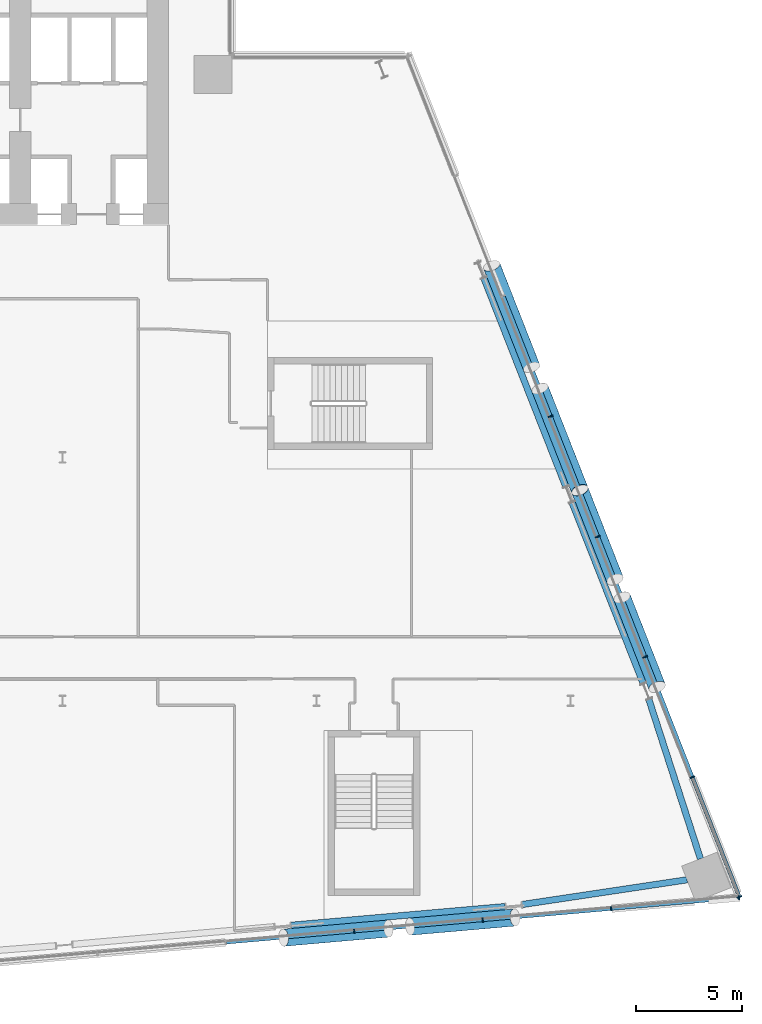
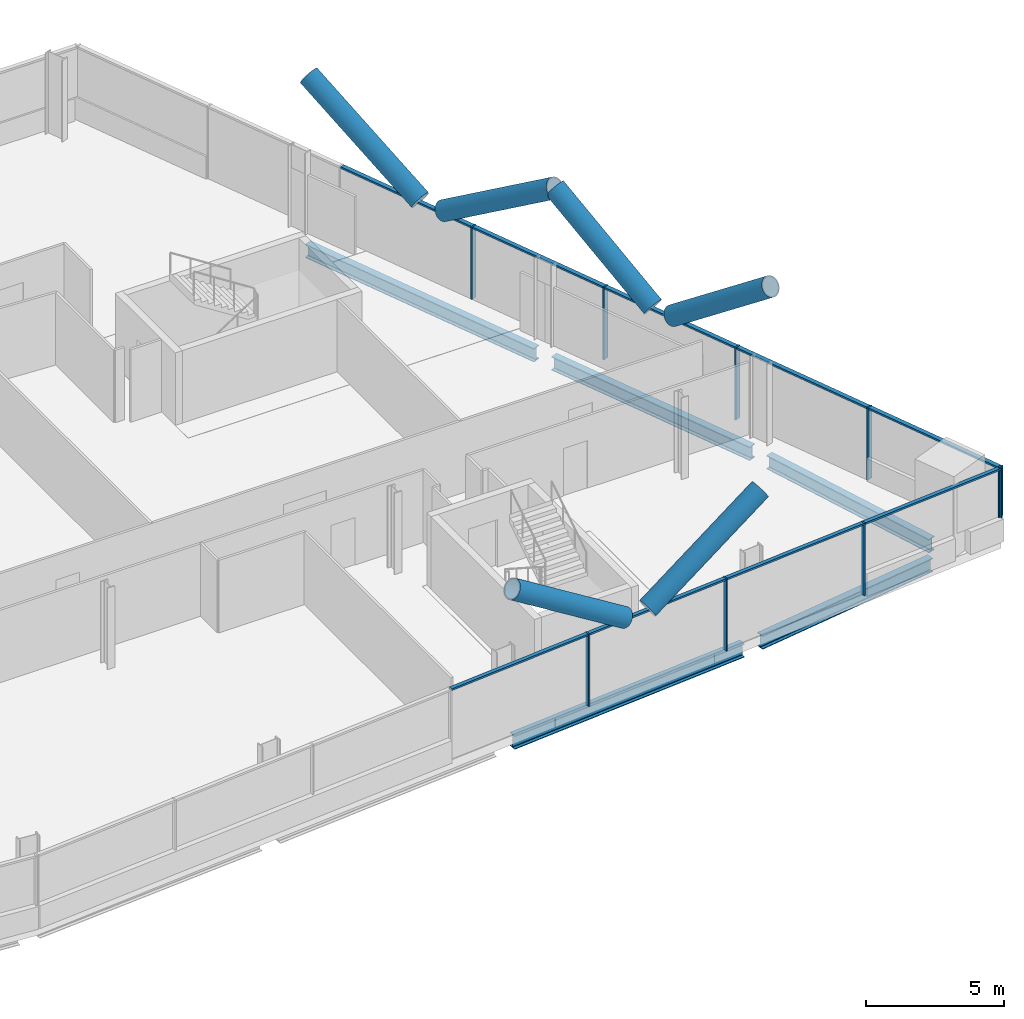
# One storey, part 10 of 27: 24 members, 5 beams, 2 elements without a shape of their own.
"""IFC4 building model written with IfcOpenShell, lengths in metres."""

import ifcopenshell
import ifcopenshell.guid

model = None  # the IFC model being written
_history = None  # IfcOwnerHistory: only IFC2X3 demands one
_inside = {}  # id of a spatial element -> (the spatial element, [elements in it])
_under = {}  # id of a project, library or spatial element -> (it, [spatial elements below it])
_declared = {}  # id of a project -> (the project, [libraries it declares])
_typed = {}  # id of a type object -> (the type object, [elements of that type])
_made_of = {}  # id of a material, layer set ... -> (it, [elements and type objects made of it])


def new_model(schema):
    """Start an empty IFC model of exactly this schema.

    Asked for "IFC4X3", IfcOpenShell would pick the latest addendum, in which some entities
    have other attributes; the version numbers below select the first issue.
    IFC2X3 requires an IfcOwnerHistory on every rooted entity: one is made here for all.
    """
    global model, _history
    if schema == "IFC4X3":
        model = ifcopenshell.file(schema_version=(4, 3, 0, 0))
    else:
        model = ifcopenshell.file(schema=schema)
    _inside.clear()
    _under.clear()
    _declared.clear()
    _typed.clear()
    _made_of.clear()
    _history = None
    if model.schema == "IFC2X3":
        org = make("IfcOrganization", Name="unknown")
        user = make(
            "IfcPersonAndOrganization",
            ThePerson=make("IfcPerson", FamilyName="unknown"),
            TheOrganization=org,
        )
        app = make(
            "IfcApplication",
            ApplicationDeveloper=org,
            Version="unknown",
            ApplicationFullName="unknown",
            ApplicationIdentifier="unknown",
        )
        _history = make(
            "IfcOwnerHistory",
            OwningUser=user,
            OwningApplication=app,
            ChangeAction="ADDED",
            CreationDate=0,
        )
    return model


def make(cls, **values):
    """One entity of the class cls with the attributes given. An attribute that is None is left unset."""
    return model.create_entity(
        cls, **{name: value for name, value in values.items() if value is not None}
    )


def rooted(cls, **values):
    """An entity with a GlobalId (a new one), such as an element, a storey or a relation."""
    return make(cls, GlobalId=ifcopenshell.guid.new(), OwnerHistory=_history, **values)


def si_unit(unit_type, name, prefix=None):
    """IfcSIUnit, for example si_unit("LENGTHUNIT", "METRE", prefix="MILLI")."""
    return make("IfcSIUnit", UnitType=unit_type, Prefix=prefix, Name=name)


def assignment(units):
    """IfcUnitAssignment: the units of a project."""
    return None if units is None else make("IfcUnitAssignment", Units=units)


def point(xyz):
    """IfcCartesianPoint."""
    return None if xyz is None else make("IfcCartesianPoint", Coordinates=xyz)


def direction(xyz):
    """IfcDirection."""
    return None if xyz is None else make("IfcDirection", DirectionRatios=xyz)


def frame(location, z_axis=None, x_axis=None):
    """IfcAxis2Placement3D, a coordinate frame: its origin and axes. An axis left out is left unset."""
    return make(
        "IfcAxis2Placement3D",
        Location=point(location),
        Axis=direction(z_axis),
        RefDirection=direction(x_axis),
    )


def frame_2d(location, x_axis=None):
    """IfcAxis2Placement2D, a coordinate frame in the plane: its origin and x axis."""
    return make(
        "IfcAxis2Placement2D", Location=point(location), RefDirection=direction(x_axis)
    )


def origin():
    """The frame at (0, 0, 0) with its axes left unset."""
    return frame((0.0, 0.0, 0.0))


def origin_2d():
    """The frame at (0, 0) in the plane with its x axis left unset."""
    return frame_2d((0.0, 0.0))


def place(relative_to, where):
    """IfcLocalPlacement: puts the frame where relative to a parent placement (None: the world)."""
    return make(
        "IfcLocalPlacement", PlacementRelTo=relative_to, RelativePlacement=where
    )


def context(
    kind, dimensions, precision=None, world=None, true_north=None, identifier=None
):
    """IfcGeometricRepresentationContext, for example the 3D "Model" context."""
    return make(
        "IfcGeometricRepresentationContext",
        ContextIdentifier=identifier,
        ContextType=kind,
        CoordinateSpaceDimension=dimensions,
        Precision=precision,
        WorldCoordinateSystem=world,
        TrueNorth=true_north,
    )


def subcontext(parent, identifier, kind, view, scale=None):
    """IfcGeometricRepresentationSubContext, for example "Body" below "Model"."""
    return make(
        "IfcGeometricRepresentationSubContext",
        ContextIdentifier=identifier,
        ContextType=kind,
        ParentContext=parent,
        TargetScale=scale,
        TargetView=view,
    )


def project(units=None, contexts=None):
    """IfcProject with its units and contexts."""
    return rooted(
        "IfcProject",
        Name="project",
        RepresentationContexts=contexts,
        UnitsInContext=assignment(units),
    )


def spatial(cls, under=None, at=None, **own):
    """A site, building, storey or space (cls), placed at a placement, below another one or the project."""
    s = rooted(cls, ObjectPlacement=at, **own)
    if under is not None:
        _under.setdefault(under.id(), (under, []))[1].append(s)
    return s


def profile(cls, at=None, kind="AREA", **sizes):
    """A parametric profile (cls). Its sizes go by their IFC names, for example OverallWidth=200.0."""
    return make(cls, ProfileType=kind, Position=at, **sizes)


def rectangle(**sizes):
    """IfcRectangleProfileDef."""
    return profile("IfcRectangleProfileDef", **sizes)


def hollow_circle(**sizes):
    """IfcCircleHollowProfileDef."""
    return profile("IfcCircleHollowProfileDef", **sizes)


def i_section(**sizes):
    """IfcIShapeProfileDef."""
    return profile("IfcIShapeProfileDef", **sizes)


def extrude(swept, where, along, depth):
    """IfcExtrudedAreaSolid: the profile swept, set in the frame where, extruded along a direction by depth."""
    return make(
        "IfcExtrudedAreaSolid",
        SweptArea=swept,
        Position=where,
        ExtrudedDirection=direction(along),
        Depth=depth,
    )


def shape(context_of_items, identifier, shape_type, items):
    """IfcShapeRepresentation: the items that make up one representation, for example the "Body"."""
    return make(
        "IfcShapeRepresentation",
        ContextOfItems=context_of_items,
        RepresentationIdentifier=identifier,
        RepresentationType=shape_type,
        Items=items,
    )


def material(Name=None, Category=None):
    """IfcMaterial."""
    return make("IfcMaterial", Name=Name, Category=Category)


def material_profile(
    of_material, cross_section, Name=None, Category=None, Priority=None
):
    """IfcMaterialProfile: a cross section and its material."""
    return make(
        "IfcMaterialProfile",
        Name=Name,
        Material=of_material,
        Profile=cross_section,
        Priority=Priority,
        Category=Category,
    )


def profile_set(profiles, Name=None, composite=None):
    """IfcMaterialProfileSet."""
    return make(
        "IfcMaterialProfileSet",
        Name=Name,
        MaterialProfiles=profiles,
        CompositeProfile=composite,
    )


def made_of(thing, what):
    """Note that an element or type object is made of a material, layer set ...; save() writes the relation."""
    if what is not None:
        _made_of.setdefault(what.id(), (what, []))[1].append(thing)
    return thing


def type_object(cls, material=None, **own):
    """A type object (cls), such as IfcWallType, which elements share."""
    return made_of(rooted(cls, **own), material)


def element(
    cls,
    number,
    at=None,
    inside=None,
    cuts=None,
    type_object=None,
    material=None,
    context=None,
    identifier="Body",
    shape_type=None,
    held_by="IfcProductDefinitionShape",
    body=None,
    shapes=None,
    **own,
):
    """One element of the class cls, such as IfcWall. Its Tag is "e" and its number.

    at: its placement. inside: the storey or other place that contains it. cuts: it is an
    opening in that element (IfcRelVoidsElement). A single representation is given by context,
    identifier, shape_type and body (its items); several are given by shapes. held_by: the class
    of the entity that holds the representations. save() writes the other relations.
    """
    e = rooted(cls, Tag="e%d" % number, ObjectPlacement=at, **own)
    if body is not None:
        shapes = [shape(context, identifier, shape_type, body)]
    if shapes is not None:
        e.Representation = make(held_by, Representations=shapes)
    if inside is not None:
        _inside.setdefault(inside.id(), (inside, []))[1].append(e)
    if cuts is not None:
        rooted(
            "IfcRelVoidsElement", RelatingBuildingElement=cuts, RelatedOpeningElement=e
        )
    if type_object is not None:
        _typed.setdefault(type_object.id(), (type_object, []))[1].append(e)
    return made_of(e, material)


def aggregate(whole, parts):
    """IfcRelAggregates: a whole, such as a stair, and the parts it consists of."""
    return rooted("IfcRelAggregates", RelatingObject=whole, RelatedObjects=parts)


def save(model, path):
    """Write the relations noted so far, then the file.

    IfcRelAggregates (storeys below a building ...), IfcRelContainedInSpatialStructure (elements
    in a storey), IfcRelDefinesByType, IfcRelAssociatesMaterial and IfcRelDeclares: one each for
    every whole, place, type object, material and project.
    """
    for whole, parts in _under.values():
        aggregate(whole, parts)
    for where, things in _inside.values():
        rooted(
            "IfcRelContainedInSpatialStructure",
            RelatedElements=things,
            RelatingStructure=where,
        )
    for kind, things in _typed.values():
        rooted("IfcRelDefinesByType", RelatedObjects=things, RelatingType=kind)
    for what, things in _made_of.values():
        rooted("IfcRelAssociatesMaterial", RelatedObjects=things, RelatingMaterial=what)
    for by, libraries in _declared.values():
        rooted("IfcRelDeclares", RelatingContext=by, RelatedDefinitions=libraries)
    model.write(path)


model = new_model("IFC4")

# Units and contexts
model_context = context("Model", 3, precision=1e-05, world=origin(), true_north=direction((0.0, 1.0)))
body_context = subcontext(model_context, "Body", "Model", "MODEL_VIEW")
ifc_project = project(units=[si_unit("LENGTHUNIT", "METRE"), si_unit("AREAUNIT", "SQUARE_METRE"), si_unit("VOLUMEUNIT", "CUBIC_METRE"), si_unit("PLANEANGLEUNIT", "RADIAN"), si_unit("MASSUNIT", "GRAM", prefix="KILO")], contexts=[model_context])

# Site, building, storey
site_placement = place(None, origin())
site = spatial("IfcSite", under=ifc_project, at=site_placement, CompositionType="ELEMENT")
building_placement = place(site_placement, origin())
building = spatial("IfcBuilding", under=site, at=building_placement, Name="Wharfspan Tower", CompositionType="ELEMENT")
storey_placement = place(building_placement, frame((0.0, 0.0, 139.899902)))
storey = spatial("IfcBuildingStorey", under=building, at=storey_placement, Name="L33", CompositionType="ELEMENT", Elevation=139.899902)

# Beams
ifc_material_1 = material(Name="Steel S355J2", Category="steel")
ifc_material_profile_1 = material_profile(ifc_material_1, i_section(OverallWidth=0.300049, OverallDepth=0.600098, WebThickness=0.015381, FlangeThickness=0.030029, FilletRadius=0.0271, at=origin_2d()))
ifc_profile_set_1 = profile_set([ifc_material_profile_1], Name="Steel S355J2")
beam_type = type_object("IfcBeamType", Name="Edge beam HEB 600", PredefinedType="SPANDREL", material=ifc_profile_set_1)
beam_1_placement = place(storey_placement, frame((70.805664, 0.887695, -0.699951), z_axis=(0.996194, 0.087159, 0.0), x_axis=(-0.087159, 0.996194, 0.0)))
element("IfcBeam", 1, at=beam_1_placement, inside=storey, type_object=beam_type, Name="Edge beam S2 L33 PS2.2 to PS2.3", PredefinedType="SPANDREL", context=body_context, shape_type="SweptSolid", body=[
    extrude(i_section(OverallWidth=0.300049, OverallDepth=0.600098, WebThickness=0.015381, FlangeThickness=0.030029, FilletRadius=0.0271, at=origin_2d()), origin(), (0.0, 0.0, 1.0), 10.159424),
])
beam_2_placement = place(storey_placement, frame((81.727295, 1.868408, -0.699951), z_axis=(0.988926, 0.148412, 0.0), x_axis=(-0.148412, 0.988926, 0.0)))
element("IfcBeam", 2, at=beam_2_placement, inside=storey, type_object=beam_type, Name="Edge beam S2 L33 PS2.3 to MC4", PredefinedType="SPANDREL", context=body_context, shape_type="SweptSolid", body=[
    extrude(i_section(OverallWidth=0.300049, OverallDepth=0.600098, WebThickness=0.015381, FlangeThickness=0.030029, FilletRadius=0.0271, at=origin_2d()), origin(), (0.0, 0.0, 1.0), 7.87793),
])
beam_3_placement = place(storey_placement, frame((90.150879, 4.02832, -0.699951), z_axis=(-0.307851, 0.951434, 0.0), x_axis=(-0.951434, -0.307851, 0.0)))
element("IfcBeam", 3, at=beam_3_placement, inside=storey, type_object=beam_type, Name="Edge beam E L33 MC4 to PE.1", PredefinedType="SPANDREL", context=body_context, shape_type="SweptSolid", body=[
    extrude(i_section(OverallWidth=0.300049, OverallDepth=0.600098, WebThickness=0.015381, FlangeThickness=0.030029, FilletRadius=0.0271, at=origin_2d()), origin(), (0.0, 0.0, 1.0), 7.924805),
])
beam_4_placement = place(storey_placement, frame((87.439453, 12.327637, -0.699951), z_axis=(-0.365779, 0.930702, 0.0), x_axis=(-0.930702, -0.365779, 0.0)))
element("IfcBeam", 4, at=beam_4_placement, inside=storey, type_object=beam_type, Name="Edge beam E L33 PE.1 to PE.2", PredefinedType="SPANDREL", context=body_context, shape_type="SweptSolid", body=[
    extrude(i_section(OverallWidth=0.300049, OverallDepth=0.600098, WebThickness=0.015381, FlangeThickness=0.030029, FilletRadius=0.0271, at=origin_2d()), origin(), (0.0, 0.0, 1.0), 9.184814),
])
beam_5_placement = place(storey_placement, frame((83.785156, 21.625977, -0.699951), z_axis=(-0.365789, 0.930698, 0.0), x_axis=(-0.930698, -0.365789, 0.0)))
element("IfcBeam", 5, at=beam_5_placement, inside=storey, type_object=beam_type, Name="Edge beam E L33 PE.2 to PE.3", PredefinedType="SPANDREL", context=body_context, shape_type="SweptSolid", body=[
    extrude(i_section(OverallWidth=0.300049, OverallDepth=0.600098, WebThickness=0.015381, FlangeThickness=0.030029, FilletRadius=0.0271, at=origin_2d()), origin(), (0.0, 0.0, 1.0), 10.584961),
])

# Curtain wall, members
ifc_material_2 = material(Name="Aluminium 6063-T6", Category="aluminium")
curtain_wall_type_1 = type_object("IfcCurtainWallType", Name="CURTAIN WALL FACETED FRONT", PredefinedType="NOTDEFINED", material=ifc_material_2)
curtain_wall_1_placement = place(storey_placement, origin())
curtain_wall_1 = element("IfcCurtainWall", 6, at=curtain_wall_1_placement, inside=storey, type_object=curtain_wall_type_1, Name="Curtain wall S2", PredefinedType="NOTDEFINED")
ifc_material_profile_2 = material_profile(ifc_material_2, rectangle(XDim=0.199951, YDim=0.060059, at=origin_2d()))
ifc_profile_set_2 = profile_set([ifc_material_profile_2], Name="Aluminium 6063-T6")
member_type_1 = type_object("IfcMemberType", Name="MULLION FACETED FRONT 60x200", PredefinedType="MULLION", material=ifc_profile_set_2)
member_1_placement = place(storey_placement, frame((73.785645, 0.606445, 0.0), z_axis=(0.0, 0.0, 1.0), x_axis=(-0.087156, 0.996198, 0.0)))
member_1 = element("IfcMember", 7, at=member_1_placement, type_object=member_type_1, Name="Curtain wall S2 mullion 5", PredefinedType="MULLION", context=body_context, shape_type="SweptSolid", body=[
    extrude(rectangle(XDim=0.199951, YDim=0.060059, at=origin_2d()), origin(), (0.0, 0.0, 1.0), 3.200195),
])
member_2_placement = place(storey_placement, frame((79.857178, 1.137695, 0.0), z_axis=(0.0, 0.0, 1.0), x_axis=(-0.087156, 0.996198, 0.0)))
member_2 = element("IfcMember", 8, at=member_2_placement, type_object=member_type_1, Name="Curtain wall S2 mullion 6", PredefinedType="MULLION", context=body_context, shape_type="SweptSolid", body=[
    extrude(rectangle(XDim=0.199951, YDim=0.060059, at=origin_2d()), origin(), (0.0, 0.0, 1.0), 3.200195),
])
member_3_placement = place(storey_placement, frame((85.928467, 1.668701, 0.0), z_axis=(0.0, 0.0, 1.0), x_axis=(-0.087156, 0.996198, 0.0)))
member_3 = element("IfcMember", 9, at=member_3_placement, type_object=member_type_1, Name="Curtain wall S2 mullion 7", PredefinedType="MULLION", context=body_context, shape_type="SweptSolid", body=[
    extrude(rectangle(XDim=0.199951, YDim=0.060059, at=origin_2d()), origin(), (0.0, 0.0, 1.0), 3.200195),
])
member_4_placement = place(storey_placement, frame((91.970215, 2.197266, 1.0), z_axis=(0.0, 0.0, 1.0), x_axis=(-0.087156, 0.996198, 0.0)))
member_4 = element("IfcMember", 10, at=member_4_placement, type_object=member_type_1, Name="Curtain wall S2 mullion 8", PredefinedType="MULLION", context=body_context, shape_type="SweptSolid", body=[
    extrude(rectangle(XDim=0.199951, YDim=0.060059, at=origin_2d()), origin(), (0.0, 0.0, 1.0), 2.200195),
])

curtain_wall_type_2 = type_object("IfcCurtainWallType", Name="CURTAIN WALL PROW AND END", PredefinedType="NOTDEFINED", material=ifc_material_2)
curtain_wall_2_placement = place(storey_placement, origin())
curtain_wall_2 = element("IfcCurtainWall", 11, at=curtain_wall_2_placement, inside=storey, type_object=curtain_wall_type_2, Name="Curtain wall E", PredefinedType="NOTDEFINED")
ifc_material_profile_3 = material_profile(ifc_material_2, rectangle(XDim=0.23999, YDim=0.060059, at=origin_2d()))
ifc_profile_set_3 = profile_set([ifc_material_profile_3], Name="Aluminium 6063-T6")
member_type_2 = type_object("IfcMemberType", Name="MULLION PROW AND END 60x240", PredefinedType="MULLION", material=ifc_profile_set_3)
member_5_placement = place(storey_placement, frame((91.989014, 2.228027, 1.0), z_axis=(0.0, 0.0, 1.0), x_axis=(-0.930702, -0.365778, 0.0)))
member_5 = element("IfcMember", 12, at=member_5_placement, type_object=member_type_2, Name="Curtain wall E mullion 1", PredefinedType="MULLION", context=body_context, shape_type="SweptSolid", body=[
    extrude(rectangle(XDim=0.23999, YDim=0.060059, at=origin_2d()), origin(), (0.0, 0.0, 1.0), 2.200195),
])
member_6_placement = place(storey_placement, frame((89.765381, 7.885742, 0.0), z_axis=(0.0, 0.0, 1.0), x_axis=(-0.930702, -0.365778, 0.0)))
member_6 = element("IfcMember", 13, at=member_6_placement, type_object=member_type_2, Name="Curtain wall E mullion 2", PredefinedType="MULLION", context=body_context, shape_type="SweptSolid", body=[
    extrude(rectangle(XDim=0.23999, YDim=0.060059, at=origin_2d()), origin(), (0.0, 0.0, 1.0), 3.200195),
])
member_7_placement = place(storey_placement, frame((87.530762, 13.571533, 0.0), z_axis=(0.0, 0.0, 1.0), x_axis=(-0.930702, -0.365778, 0.0)))
member_7 = element("IfcMember", 14, at=member_7_placement, type_object=member_type_2, Name="Curtain wall E mullion 3", PredefinedType="MULLION", context=body_context, shape_type="SweptSolid", body=[
    extrude(rectangle(XDim=0.23999, YDim=0.060059, at=origin_2d()), origin(), (0.0, 0.0, 1.0), 3.200195),
])
member_8_placement = place(storey_placement, frame((85.296387, 19.25708, 0.0), z_axis=(0.0, 0.0, 1.0), x_axis=(-0.930702, -0.365778, 0.0)))
member_8 = element("IfcMember", 15, at=member_8_placement, type_object=member_type_2, Name="Curtain wall E mullion 4", PredefinedType="MULLION", context=body_context, shape_type="SweptSolid", body=[
    extrude(rectangle(XDim=0.23999, YDim=0.060059, at=origin_2d()), origin(), (0.0, 0.0, 1.0), 3.200195),
])
member_9_placement = place(storey_placement, frame((83.061768, 24.942871, 0.0), z_axis=(0.0, 0.0, 1.0), x_axis=(-0.930702, -0.365778, 0.0)))
member_9 = element("IfcMember", 16, at=member_9_placement, type_object=member_type_2, Name="Curtain wall E mullion 5", PredefinedType="MULLION", context=body_context, shape_type="SweptSolid", body=[
    extrude(rectangle(XDim=0.23999, YDim=0.060059, at=origin_2d()), origin(), (0.0, 0.0, 1.0), 3.200195),
])

# Members
ifc_material_3 = material(Name="Steel S460NH", Category="steel")
ifc_material_profile_4 = material_profile(ifc_material_3, hollow_circle(Radius=0.406494, WallThickness=0.040039, at=origin_2d()))
ifc_profile_set_4 = profile_set([ifc_material_profile_4], Name="Steel S460NH")
member_type_3 = type_object("IfcMemberType", Name="Mega brace CHS 813x40", PredefinedType="BRACE", material=ifc_profile_set_4)
member_10_placement = place(storey_placement, frame((76.427002, 0.82251, 3.237793), z_axis=(0.832724, 0.07283, 0.548878), x_axis=(-0.087128, 0.996197, 1e-06)))
element("IfcMember", 17, at=member_10_placement, inside=storey, type_object=member_type_3, Name="Mega brace S2 L33 part 2", PredefinedType="BRACE", context=body_context, shape_type="SweptSolid", body=[
    extrude(hollow_circle(Radius=0.406494, WallThickness=0.040039, at=origin_2d()), origin(), (0.0, 0.0, 1.0), 5.943359),
])
member_11_placement = place(storey_placement, frame((75.401855, 0.73291, 3.237793), z_axis=(-0.832734, -0.072869, 0.548858), x_axis=(0.087173, -0.99619, 1e-06)))
element("IfcMember", 18, at=member_11_placement, inside=storey, type_object=member_type_3, Name="Mega brace S2 L33 part 4", PredefinedType="BRACE", context=body_context, shape_type="SweptSolid", body=[
    extrude(hollow_circle(Radius=0.406494, WallThickness=0.040039, at=origin_2d()), origin(), (0.0, 0.0, 1.0), 5.943604),
])
member_12_placement = place(storey_placement, frame((82.168213, 27.257812, 3.241699), z_axis=(-0.309223, 0.786709, 0.534294), x_axis=(-0.930685, -0.365812, -3e-06)))
element("IfcMember", 19, at=member_12_placement, inside=storey, type_object=member_type_3, Name="Mega brace E5 L33 part 2", PredefinedType="BRACE", context=body_context, shape_type="SweptSolid", body=[
    extrude(hollow_circle(Radius=0.406494, WallThickness=0.040039, at=origin_2d()), origin(), (0.0, 0.0, 1.0), 6.098389),
])
member_13_placement = place(storey_placement, frame((82.563477, 26.251709, 3.241699), z_axis=(0.309187, -0.786719, 0.534301), x_axis=(0.930704, 0.365777, 4e-06)))
element("IfcMember", 20, at=member_13_placement, inside=storey, type_object=member_type_3, Name="Mega brace E5 L33 part 4", PredefinedType="BRACE", context=body_context, shape_type="SweptSolid", body=[
    extrude(hollow_circle(Radius=0.406494, WallThickness=0.040039, at=origin_2d()), origin(), (0.0, 0.0, 1.0), 6.098145),
])
member_14_placement = place(storey_placement, frame((86.109863, 17.228027, 3.227783), z_axis=(-0.29675, 0.75507, 0.584645), x_axis=(-0.930704, -0.365779, 4e-06)))
element("IfcMember", 21, at=member_14_placement, inside=storey, type_object=member_type_3, Name="Mega brace E6 L33 part 2", PredefinedType="BRACE", context=body_context, shape_type="SweptSolid", body=[
    extrude(hollow_circle(Radius=0.406494, WallThickness=0.040039, at=origin_2d()), origin(), (0.0, 0.0, 1.0), 5.596924),
])
member_15_placement = place(storey_placement, frame((86.442627, 16.381348, 3.227783), z_axis=(0.29676, -0.755051, 0.584664), x_axis=(0.930695, 0.365797, 4e-06)))
element("IfcMember", 22, at=member_15_placement, inside=storey, type_object=member_type_3, Name="Mega brace E6 L33 part 4", PredefinedType="BRACE", context=body_context, shape_type="SweptSolid", body=[
    extrude(hollow_circle(Radius=0.406494, WallThickness=0.040039, at=origin_2d()), origin(), (0.0, 0.0, 1.0), 5.59668),
])

# Member
ifc_material_profile_5 = material_profile(ifc_material_2, rectangle(XDim=0.159912, YDim=0.080078, at=origin_2d()))
ifc_profile_set_5 = profile_set([ifc_material_profile_5], Name="Aluminium 6063-T6")
member_type_4 = type_object("IfcMemberType", Name="TRANSOM FACETED FRONT 80x160", PredefinedType="USERDEFINED", material=ifc_profile_set_5)
member_16_placement = place(storey_placement, frame((67.744141, 0.077881, 3.160156), z_axis=(0.996196, 0.087143, 0.0), x_axis=(-0.087143, 0.996196, 0.0)))
member_16 = element("IfcMember", 23, at=member_16_placement, type_object=member_type_4, Name="Curtain wall S2 transom 4", ObjectType="TRANSOM", PredefinedType="USERDEFINED", context=body_context, shape_type="SweptSolid", body=[
    extrude(rectangle(XDim=0.159912, YDim=0.080078, at=origin_2d()), origin(), (0.0, 0.0, 1.0), 6.034668),
])

member_17_placement = place(storey_placement, frame((73.815674, 0.609131, 3.160156), z_axis=(0.996196, 0.087146, 0.0), x_axis=(-0.087146, 0.996196, 0.0)))
member_17 = element("IfcMember", 24, at=member_17_placement, type_object=member_type_4, Name="Curtain wall S2 transom 5", ObjectType="TRANSOM", PredefinedType="USERDEFINED", context=body_context, shape_type="SweptSolid", body=[
    extrude(rectangle(XDim=0.159912, YDim=0.080078, at=origin_2d()), origin(), (0.0, 0.0, 1.0), 6.034424),
])

member_18_placement = place(storey_placement, frame((79.886963, 1.140137, 3.160156), z_axis=(0.996192, 0.087183, 0.0), x_axis=(-0.087183, 0.996192, 0.0)))
member_18 = element("IfcMember", 25, at=member_18_placement, type_object=member_type_4, Name="Curtain wall S2 transom 6", ObjectType="TRANSOM", PredefinedType="USERDEFINED", context=body_context, shape_type="SweptSolid", body=[
    extrude(rectangle(XDim=0.159912, YDim=0.080078, at=origin_2d()), origin(), (0.0, 0.0, 1.0), 6.034668),
])

member_19_placement = place(storey_placement, frame((85.958496, 1.671387, 3.160156), z_axis=(0.996193, 0.087174, 0.0), x_axis=(-0.087174, 0.996193, 0.0)))
member_19 = element("IfcMember", 26, at=member_19_placement, type_object=member_type_4, Name="Curtain wall S2 transom 7", ObjectType="TRANSOM", PredefinedType="USERDEFINED", context=body_context, shape_type="SweptSolid", body=[
    extrude(rectangle(XDim=0.159912, YDim=0.080078, at=origin_2d()), origin(), (0.0, 0.0, 1.0), 6.004639),
])

aggregate(curtain_wall_1, [member_1, member_2, member_3, member_4, member_16, member_17, member_18, member_19])

ifc_material_profile_6 = material_profile(ifc_material_2, rectangle(XDim=0.179932, YDim=0.080078, at=origin_2d()))
ifc_profile_set_6 = profile_set([ifc_material_profile_6], Name="Aluminium 6063-T6")
member_type_5 = type_object("IfcMemberType", Name="TRANSOM PROW AND END 80x180", PredefinedType="USERDEFINED", material=ifc_profile_set_6)
member_20_placement = place(storey_placement, frame((91.978027, 2.255859, 3.160156), z_axis=(-0.365775, 0.930703, 0.0), x_axis=(-0.930703, -0.365775, 0.0)))
member_20 = element("IfcMember", 27, at=member_20_placement, type_object=member_type_5, Name="Curtain wall E transom 1", ObjectType="TRANSOM", PredefinedType="USERDEFINED", context=body_context, shape_type="SweptSolid", body=[
    extrude(rectangle(XDim=0.179932, YDim=0.080078, at=origin_2d()), origin(), (0.0, 0.0, 1.0), 6.019043),
])

member_21_placement = place(storey_placement, frame((89.754395, 7.913574, 3.160156), z_axis=(-0.365782, 0.9307, 0.0), x_axis=(-0.9307, -0.365782, 0.0)))
member_21 = element("IfcMember", 28, at=member_21_placement, type_object=member_type_5, Name="Curtain wall E transom 2", ObjectType="TRANSOM", PredefinedType="USERDEFINED", context=body_context, shape_type="SweptSolid", body=[
    extrude(rectangle(XDim=0.179932, YDim=0.080078, at=origin_2d()), origin(), (0.0, 0.0, 1.0), 6.049072),
])

member_22_placement = place(storey_placement, frame((87.52002, 13.599365, 3.160156), z_axis=(-0.365782, 0.9307, 0.0), x_axis=(-0.9307, -0.365782, 0.0)))
member_22 = element("IfcMember", 29, at=member_22_placement, type_object=member_type_5, Name="Curtain wall E transom 3", ObjectType="TRANSOM", PredefinedType="USERDEFINED", context=body_context, shape_type="SweptSolid", body=[
    extrude(rectangle(XDim=0.179932, YDim=0.080078, at=origin_2d()), origin(), (0.0, 0.0, 1.0), 6.049072),
])

member_23_placement = place(storey_placement, frame((85.2854, 19.285156, 3.160156), z_axis=(-0.365782, 0.9307, 0.0), x_axis=(-0.9307, -0.365782, 0.0)))
member_23 = element("IfcMember", 30, at=member_23_placement, type_object=member_type_5, Name="Curtain wall E transom 4", ObjectType="TRANSOM", PredefinedType="USERDEFINED", context=body_context, shape_type="SweptSolid", body=[
    extrude(rectangle(XDim=0.179932, YDim=0.080078, at=origin_2d()), origin(), (0.0, 0.0, 1.0), 6.049072),
])

member_24_placement = place(storey_placement, frame((83.050781, 24.970703, 3.160156), z_axis=(-0.365782, 0.9307, 0.0), x_axis=(-0.9307, -0.365782, 0.0)))
member_24 = element("IfcMember", 31, at=member_24_placement, type_object=member_type_5, Name="Curtain wall E transom 5", ObjectType="TRANSOM", PredefinedType="USERDEFINED", context=body_context, shape_type="SweptSolid", body=[
    extrude(rectangle(XDim=0.179932, YDim=0.080078, at=origin_2d()), origin(), (0.0, 0.0, 1.0), 6.049072),
])

aggregate(curtain_wall_2, [member_5, member_6, member_7, member_8, member_9, member_20, member_21, member_22, member_23, member_24])

save(model, "model.ifc")
